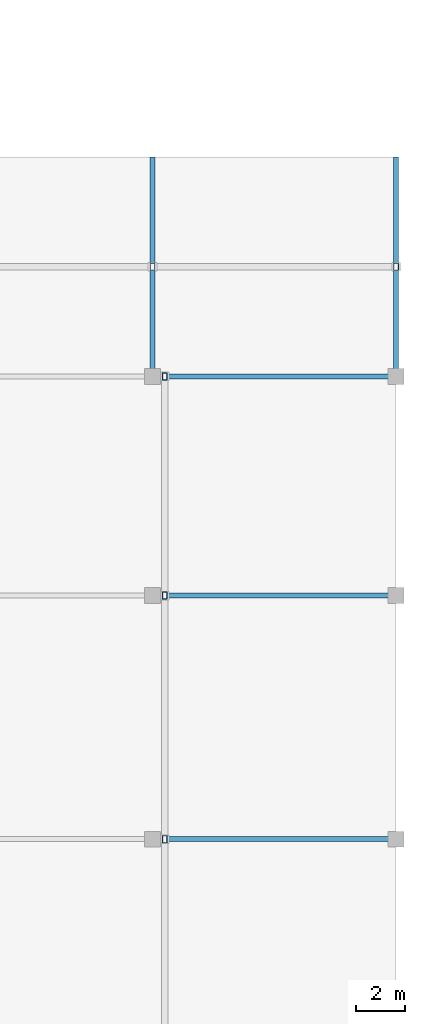
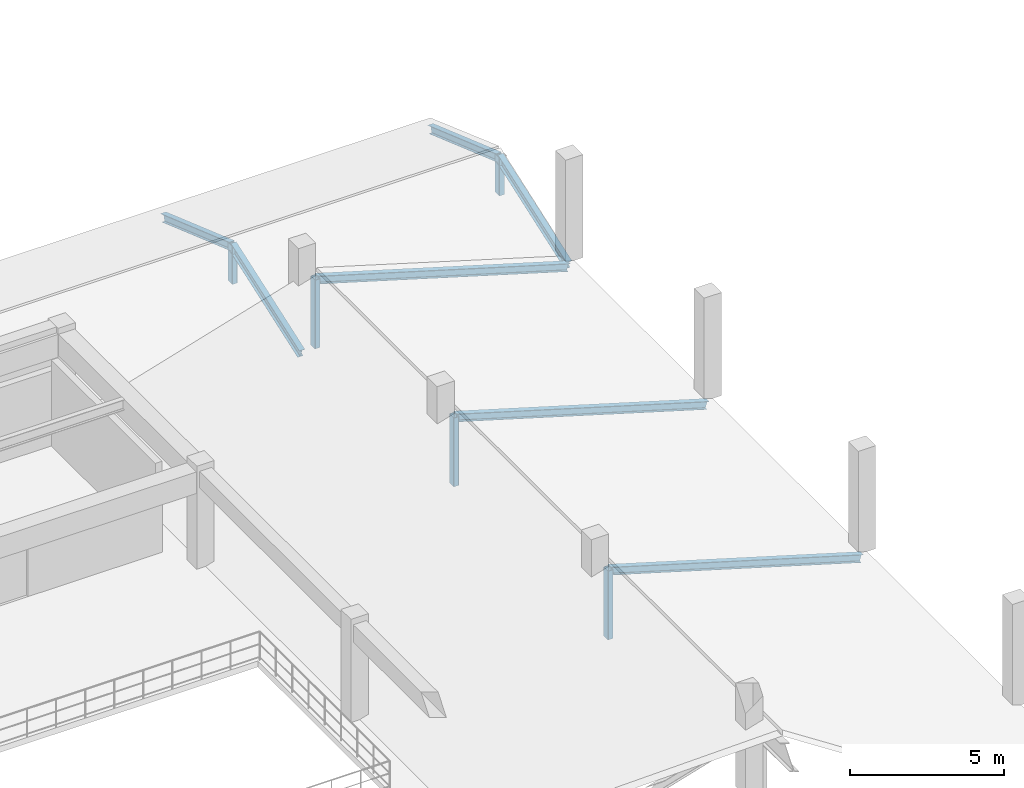
# One storey, part 59 of 80: 12 members.
"""IFC4 building model written with IfcOpenShell, lengths in metres."""

from ifc_helpers import new_model, si_unit, direction, frame, origin, origin_2d, place, context, subcontext, project, spatial, hollow_rectangle, i_section, extrude, material, material_profile, profile_set, type_object, element, save


model = new_model("IFC4")

# Units and contexts
model_context = context("Model", 3, precision=1e-05, world=origin(), true_north=direction((0.0, 1.0)))
body_context = subcontext(model_context, "Body", "Model", "MODEL_VIEW")
ifc_project = project(units=[si_unit("LENGTHUNIT", "METRE"), si_unit("AREAUNIT", "SQUARE_METRE"), si_unit("VOLUMEUNIT", "CUBIC_METRE"), si_unit("PLANEANGLEUNIT", "RADIAN"), si_unit("MASSUNIT", "GRAM", prefix="KILO")], contexts=[model_context])

# Site, building, storey
site_placement = place(None, origin())
site = spatial("IfcSite", under=ifc_project, at=site_placement, CompositionType="ELEMENT")
building_placement = place(site_placement, origin())
building = spatial("IfcBuilding", under=site, at=building_placement, Name="Miravela Opera House", CompositionType="ELEMENT")
storey_placement = place(building_placement, frame((0.0, 0.0, 17.679931640625)))
storey = spatial("IfcBuildingStorey", under=building, at=storey_placement, Name="L04", CompositionType="ELEMENT", Elevation=17.679931640625)

# Members
ifc_material_1 = material(Name="Hollow structural steel ASTM A500 Gr. C", Category="steel")
ifc_material_profile_1 = material_profile(ifc_material_1, hollow_rectangle(XDim=0.199951171875, YDim=0.300048828125, WallThickness=0.011962890625, InnerFilletRadius=0.011962890625, OuterFilletRadius=0.02392578125, at=origin_2d()), Name="HSS300X200X12")
ifc_profile_set_1 = profile_set([ifc_material_profile_1])
member_type_1 = type_object("IfcMemberType", Name="STR-MEM-POST-HSS300X200", PredefinedType="POST", material=ifc_profile_set_1)
for number, where, z_axis, x_axis, name in (
    (1, (144.0, 79.5, -0.25), (0.0, 0.0, 1.0), (1.0, 0.0, 0.0), "Roof Ridge Support Post ROOF-V3-EAST-S M3"),
    (2, (154.0, 79.5, -0.25), (0.0, 0.0, 1.0), (1.0, 0.0, 0.0), "Roof Gable King Post ROOF-V3-EAST-S E"),
):
    element("IfcMember", number, at=place(storey_placement, frame(where, z_axis=z_axis, x_axis=x_axis)), inside=storey, type_object=member_type_1, Name=name, PredefinedType="POST", context=body_context, shape_type="SweptSolid", body=[
        extrude(hollow_rectangle(XDim=0.199951171875, YDim=0.300048828125, WallThickness=0.011962890625, InnerFilletRadius=0.011962890625, OuterFilletRadius=0.02392578125, at=origin_2d()), origin(), (0.0, 0.0, 1.0), 1.510009765625),
    ])
for number, where, z_axis, x_axis, name in (
    (3, (144.5, 56.0, -0.25), (0.0, 0.0, 1.0), (1.0, 0.0, 0.0), "Roof Ridge Support Post ROOF-V2-REAR M2"),
    (4, (144.5, 66.0, -0.25), (0.0, 0.0, 1.0), (1.0, 0.0, 0.0), "Roof Ridge Support Post ROOF-V2-REAR M3"),
    (5, (144.5, 75.0, -0.25), (0.0, 0.0, 1.0), (1.0, 0.0, 0.0), "Roof Gable King Post ROOF-V2-REAR N"),
):
    element("IfcMember", number, at=place(storey_placement, frame(where, z_axis=z_axis, x_axis=x_axis)), inside=storey, type_object=member_type_1, Name=name, PredefinedType="POST", context=body_context, shape_type="SweptSolid", body=[
        extrude(hollow_rectangle(XDim=0.199951171875, YDim=0.300048828125, WallThickness=0.011962890625, InnerFilletRadius=0.011962890625, OuterFilletRadius=0.02392578125, at=origin_2d()), origin(), (0.0, 0.0, 1.0), 2.719970703125),
    ])
ifc_material_2 = material(Name="Structural steel ASTM A992 Gr. 50", Category="steel")
ifc_material_profile_2 = material_profile(ifc_material_2, i_section(OverallWidth=0.2041015625, OverallDepth=0.35009765625, WebThickness=0.008544921875, FlangeThickness=0.01513671875, FilletRadius=0.013916015625, at=origin_2d()), Name="W360X72")
ifc_profile_set_2 = profile_set([ifc_material_profile_2])
member_type_2 = type_object("IfcMemberType", Name="STR-MEM-RAFTER-1", PredefinedType="RAFTER", material=ifc_profile_set_2)
for number, where, z_axis, x_axis, name in (
    (6, (144.0, 75.050048828125, -0.39990234375), (0.0, 0.943687918104, 0.3308369889), (-1.0, 0.0, 0.0), "Pitched Roof Rafter ROOF-V3-EAST-S S3"),
    (7, (154.0, 75.050048828125, -0.39990234375), (0.0, 0.943687918104, 0.3308369889), (-1.0, 0.0, 0.0), "Pitched Roof Rafter ROOF-V3-EAST-S S4"),
):
    element("IfcMember", number, at=place(storey_placement, frame(where, z_axis=z_axis, x_axis=x_axis)), inside=storey, type_object=member_type_2, Name=name, PredefinedType="RAFTER", context=body_context, shape_type="SweptSolid", body=[
        extrude(i_section(OverallWidth=0.2041015625, OverallDepth=0.35009765625, WebThickness=0.008544921875, FlangeThickness=0.01513671875, FilletRadius=0.013916015625, at=origin_2d()), origin(), (0.0, 0.0, 1.0), 4.715576171875),
    ])
ifc_material_profile_3 = material_profile(ifc_material_2, i_section(OverallWidth=0.202880859375, OverallDepth=0.302978515625, WebThickness=0.007568359375, FlangeThickness=0.01318359375, FilletRadius=0.012939453125, at=origin_2d()), Name="W310X60")
ifc_profile_set_3 = profile_set([ifc_material_profile_3])
member_type_3 = type_object("IfcMemberType", Name="STR-MEM-RAFTER-2", PredefinedType="RAFTER", material=ifc_profile_set_3)
for number, where, z_axis, x_axis, name in (
    (8, (144.0, 83.949951171875, -0.39990234375), (0.0, -0.943687918104, 0.3308369889), (1.0, 0.0, 0.0), "Pitched Roof Rafter ROOF-V3-EAST-S N3"),
    (9, (154.0, 83.949951171875, -0.39990234375), (0.0, -0.943687918104, 0.3308369889), (1.0, 0.0, 0.0), "Pitched Roof Rafter ROOF-V3-EAST-S N4"),
):
    element("IfcMember", number, at=place(storey_placement, frame(where, z_axis=z_axis, x_axis=x_axis)), inside=storey, type_object=member_type_3, Name=name, PredefinedType="RAFTER", context=body_context, shape_type="SweptSolid", body=[
        extrude(i_section(OverallWidth=0.202880859375, OverallDepth=0.302978515625, WebThickness=0.007568359375, FlangeThickness=0.01318359375, FilletRadius=0.012939453125, at=origin_2d()), origin(), (0.0, 0.0, 1.0), 4.715576171875),
    ])
for number, where, z_axis, x_axis, name in (
    (10, (153.949951171875, 56.0, -0.39990234375), (-0.958519352545, 0.0, 0.285027456217), (0.0, -1.0, 0.0), "Pitched Roof Rafter ROOF-V2-REAR E2"),
    (11, (153.949951171875, 66.0, -0.39990234375), (-0.958519352545, 0.0, 0.285027456217), (0.0, -1.0, 0.0), "Pitched Roof Rafter ROOF-V2-REAR E3"),
    (12, (153.949951171875, 75.0, -0.39990234375), (-0.958519352545, 0.0, 0.285027456217), (0.0, -1.0, 0.0), "Pitched Roof Rafter ROOF-V2-REAR E4"),
):
    element("IfcMember", number, at=place(storey_placement, frame(where, z_axis=z_axis, x_axis=x_axis)), inside=storey, type_object=member_type_3, Name=name, PredefinedType="RAFTER", context=body_context, shape_type="SweptSolid", body=[
        extrude(i_section(OverallWidth=0.202880859375, OverallDepth=0.302978515625, WebThickness=0.007568359375, FlangeThickness=0.01318359375, FilletRadius=0.012939453125, at=origin_2d()), origin(), (0.0, 0.0, 1.0), 9.85888671875),
    ])

save(model, "model.ifc")
